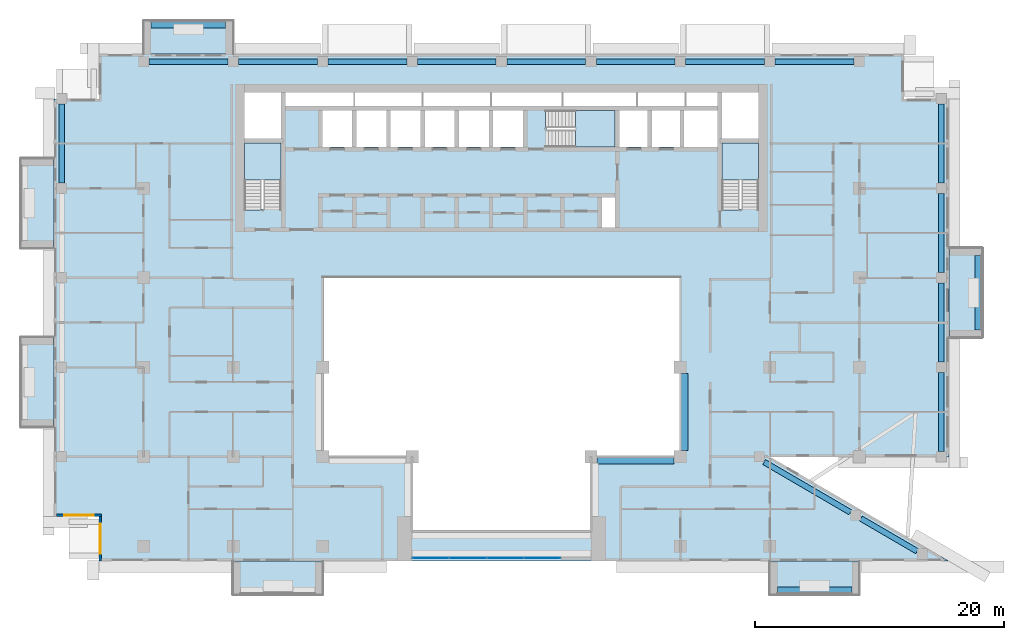
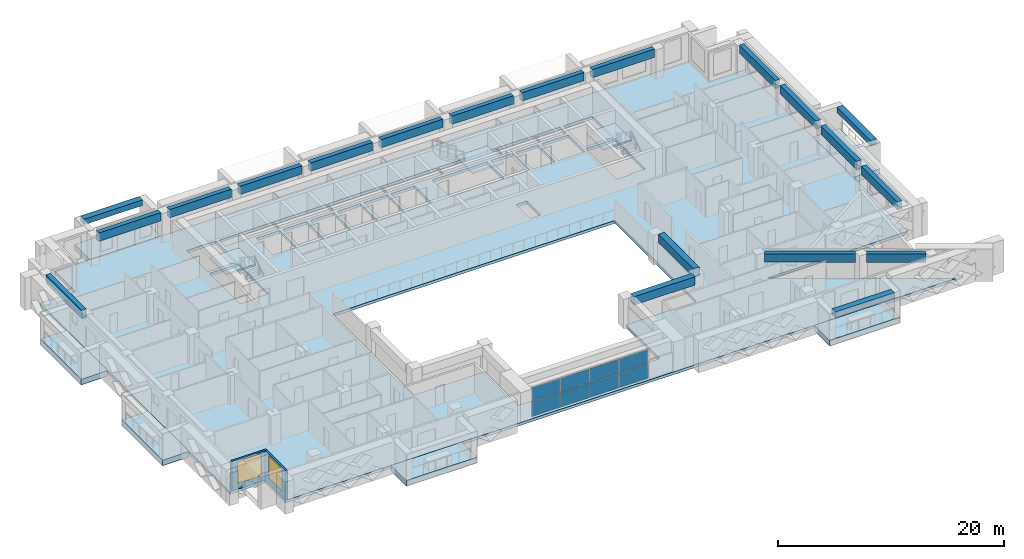
# One storey, part 5 of 20: 20 beams, 10 slabs, 8 plates, 2 walls, 2 windows, 2 openings, 4 elements without a shape of their own.
"""IFC4 building model written with IfcOpenShell, lengths in metres."""

from ifc_helpers import new_model, si_unit, direction, frame, frame_2d, origin, origin_2d, place, context, subcontext, project, spatial, polyline, rectangle, outline, extrude, source, transform, mapped, material, layer, layer_set, material_profile, profile_set, type_object, element, fill, aggregate, save


model = new_model("IFC4")

# Units and contexts
model_context = context("Model", 3, precision=1e-05, world=origin(), true_north=direction((0.0, 1.0)))
body_context = subcontext(model_context, "Body", "Model", "MODEL_VIEW")
ifc_project = project(units=[si_unit("LENGTHUNIT", "METRE"), si_unit("AREAUNIT", "SQUARE_METRE"), si_unit("VOLUMEUNIT", "CUBIC_METRE"), si_unit("PLANEANGLEUNIT", "RADIAN"), si_unit("MASSUNIT", "GRAM", prefix="KILO")], contexts=[model_context])

# Site, building, storey
site_placement = place(None, origin())
site = spatial("IfcSite", under=ifc_project, at=site_placement, CompositionType="ELEMENT")
building_placement = place(site_placement, origin())
building = spatial("IfcBuilding", under=site, at=building_placement, Name="Saffron Iwan Residences", CompositionType="ELEMENT")
storey_placement = place(building_placement, frame((0.0, 0.0, 150.0)))
storey = spatial("IfcBuildingStorey", under=building, at=storey_placement, Name="L39", CompositionType="ELEMENT", Elevation=150.0)

# Beams
ifc_material_1 = material(Name="Concrete C50/60", Category="concrete")
ifc_material_profile_1 = material_profile(ifc_material_1, rectangle(XDim=0.449951171875, YDim=0.89990234375, at=origin_2d()), Name="RC 450x900")
ifc_profile_set_1 = profile_set([ifc_material_profile_1], Name="Concrete C50/60")
beam_type_1 = type_object("IfcBeamType", Name="SPANDREL BEAM RC 450x900 C50/60 TOP 3200", PredefinedType="SPANDREL", material=ifc_profile_set_1)
shared_shape_1 = source(origin(), body_context, "Body", "SweptSolid", [
    extrude(rectangle(XDim=0.449951171875, YDim=0.89990234375, at=origin_2d()), origin(), (0.0, 0.0, 1.0), 5.24267578125),
])
beam_1_placement = place(storey_placement, frame((79.32275390625, 43.03369140625, 2.75), z_axis=(0.863783967805, -0.503862339299, 0.0), x_axis=(0.503862339299, 0.863783967805, 0.0)))
element("IfcBeam", 1, at=beam_1_placement, inside=storey, type_object=beam_type_1, Name="Spandrel beam", PredefinedType="SPANDREL", context=body_context, shape_type="MappedRepresentation", body=[
    mapped(shared_shape_1, transform((0.0, 0.0, 0.0))),
])
shared_shape_2 = source(origin(), body_context, "Body", "SweptSolid", [
    extrude(rectangle(XDim=0.449951171875, YDim=0.89990234375, at=origin_2d()), origin(), (0.0, 0.0, 1.0), 8.028564453125),
])
beam_2_placement = place(storey_placement, frame((71.537841796875, 47.574951171875, 2.75), z_axis=(0.863773386225, -0.503880479132, 0.0), x_axis=(0.503880479132, 0.863773386225, 0.0)))
element("IfcBeam", 2, at=beam_2_placement, inside=storey, type_object=beam_type_1, Name="Spandrel beam", PredefinedType="SPANDREL", context=body_context, shape_type="MappedRepresentation", body=[
    mapped(shared_shape_2, transform((0.0, 0.0, 0.0))),
])
shared_shape_3 = source(origin(), body_context, "Body", "SweptSolid", [
    extrude(rectangle(XDim=0.449951171875, YDim=0.89990234375, at=origin_2d()), origin(), (0.0, 0.0, 1.0), 6.349853515625),
])
for number, where, z_axis, x_axis, name in (
    (3, (85.800048828125, 54.77490234375, 2.75), (0.0, -1.0, 0.0), (1.0, 0.0, 0.0), "Spandrel beam"),
    (4, (29.22509765625, 79.800048828125, 2.75), (1.0, 0.0, 0.0), (0.0, 1.0, 0.0), "Spandrel beam"),
    (5, (36.425048828125, 79.800048828125, 2.75), (1.0, 0.0, 0.0), (0.0, 1.0, 0.0), "Spandrel beam"),
    (6, (65.22509765625, 79.800048828125, 2.75), (1.0, 0.0, 0.0), (0.0, 1.0, 0.0), "Spandrel beam"),
    (7, (72.425048828125, 79.800048828125, 2.75), (1.0, 0.0, 0.0), (0.0, 1.0, 0.0), "Spandrel beam"),
):
    element("IfcBeam", number, at=place(storey_placement, frame(where, z_axis=z_axis, x_axis=x_axis)), inside=storey, type_object=beam_type_1, Name=name, PredefinedType="SPANDREL", context=body_context, shape_type="MappedRepresentation", body=[
        mapped(shared_shape_3, transform((0.0, 0.0, 0.0))),
    ])
shared_shape_4 = source(origin(), body_context, "Body", "SweptSolid", [
    extrude(rectangle(XDim=0.449951171875, YDim=0.89990234375, at=origin_2d()), origin(), (0.0, 0.0, 1.0), 6.35009765625),
])
for number, where, z_axis, x_axis, name in (
    (8, (85.800048828125, 61.97509765625, 2.75), (0.0, -1.0, 0.0), (1.0, 0.0, 0.0), "Spandrel beam"),
    (9, (85.800048828125, 69.175048828125, 2.75), (0.0, -1.0, 0.0), (1.0, 0.0, 0.0), "Spandrel beam"),
    (10, (15.0, 70.02490234375, 2.75), (0.0, 1.0, 0.0), (-1.0, 0.0, 0.0), "Spandrel beam"),
    (11, (85.800048828125, 76.375, 2.75), (0.0, -1.0, 0.0), (1.0, 0.0, 0.0), "Spandrel beam"),
    (12, (22.02490234375, 79.800048828125, 2.75), (1.0, 0.0, 0.0), (0.0, 1.0, 0.0), "Spandrel beam"),
    (13, (43.625, 79.800048828125, 2.75), (1.0, 0.0, 0.0), (0.0, 1.0, 0.0), "Spandrel beam"),
    (14, (50.824951171875, 79.800048828125, 2.75), (1.0, 0.0, 0.0), (0.0, 1.0, 0.0), "Spandrel beam"),
    (15, (58.02490234375, 79.800048828125, 2.75), (1.0, 0.0, 0.0), (0.0, 1.0, 0.0), "Spandrel beam"),
):
    element("IfcBeam", number, at=place(storey_placement, frame(where, z_axis=z_axis, x_axis=x_axis)), inside=storey, type_object=beam_type_1, Name=name, PredefinedType="SPANDREL", context=body_context, shape_type="MappedRepresentation", body=[
        mapped(shared_shape_4, transform((0.0, 0.0, 0.0))),
    ])
ifc_material_profile_2 = material_profile(ifc_material_1, rectangle(XDim=0.60009765625, YDim=0.89990234375, at=origin_2d()), Name="RC 600x900")
ifc_profile_set_2 = profile_set([ifc_material_profile_2], Name="Concrete C50/60")
beam_type_2 = type_object("IfcBeamType", Name="BEAM RC 600x900 C50/60 TOP 3200", PredefinedType="BEAM", material=ifc_profile_set_2)
shared_shape_5 = source(origin(), body_context, "Body", "SweptSolid", [
    extrude(rectangle(XDim=0.60009765625, YDim=0.89990234375, at=origin_2d()), origin(), (0.0, 0.0, 1.0), 6.199951171875),
])
for number, where, z_axis, x_axis, name in (
    (16, (64.300048828125, 47.699951171875, 2.75), (-1.0, 0.0, 0.0), (0.0, -1.0, 0.0), "Atrium edge beam"),
    (17, (65.10009765625, 54.699951171875, 2.75), (0.0, -1.0, 0.0), (1.0, 0.0, 0.0), "Atrium edge beam"),
):
    element("IfcBeam", number, at=place(storey_placement, frame(where, z_axis=z_axis, x_axis=x_axis)), inside=storey, type_object=beam_type_2, Name=name, PredefinedType="BEAM", context=body_context, shape_type="MappedRepresentation", body=[
        mapped(shared_shape_5, transform((0.0, 0.0, 0.0))),
    ])
ifc_material_2 = material(Name="Concrete C50/60 white painted", Category="concrete")
ifc_material_profile_3 = material_profile(ifc_material_2, rectangle(XDim=0.60009765625, YDim=0.60009765625, at=origin_2d()), Name="BALCONY FASCIA BEAM 600 x 600")
ifc_profile_set_3 = profile_set([ifc_material_profile_3], Name="Concrete C50/60 white painted")
beam_type_3 = type_object("IfcBeamType", Name="BALCONY FASCIA BEAM 600 x 600", PredefinedType="BEAM", material=ifc_profile_set_3)
shared_shape_6 = source(origin(), body_context, "Body", "SweptSolid", [
    extrude(rectangle(XDim=0.60009765625, YDim=0.60009765625, at=origin_2d()), origin(), (0.0, 0.0, 1.0), 6.0),
])
for number, where, z_axis, x_axis, name in (
    (18, (88.800048828125, 58.199951171875, 2.550048828125), (0.0, 1.0, 0.0), (-1.0, 0.0, 0.0), "Balcony fascia beam L39 F2-0"),
    (19, (28.199951171875, 82.800048828125, 2.550048828125), (-1.0, 0.0, 0.0), (0.0, -1.0, 0.0), "Balcony fascia beam L39 F5-3"),
    (20, (72.60009765625, 37.199951171875, 2.550048828125), (1.0, 0.0, 0.0), (0.0, 1.0, 0.0), "Balcony fascia beam L39 11-1"),
):
    element("IfcBeam", number, at=place(storey_placement, frame(where, z_axis=z_axis, x_axis=x_axis)), inside=storey, type_object=beam_type_3, Name=name, PredefinedType="BEAM", context=body_context, shape_type="MappedRepresentation", body=[
        mapped(shared_shape_6, transform((0.0, 0.0, 0.0))),
    ])

# Slabs
ifc_layer_1 = layer(ifc_material_2, 0.60009765625)
ifc_layer_set_1 = layer_set([ifc_layer_1], Name="Concrete C50/60 white painted")
slab_type_1 = type_object("IfcSlabType", Name="BALCONY FRAME SLAB 600", PredefinedType="FLOOR", material=ifc_layer_set_1)
slab_1_placement = place(storey_placement, frame((0.0, 0.0, -0.60009765625)))
element("IfcSlab", 21, at=slab_1_placement, inside=storey, type_object=slab_type_1, Name="Balcony frame slab L39 F2-0", PredefinedType="FLOOR", context=body_context, shape_type="SweptSolid", body=[
    extrude(outline(polyline([(89.10009765625, 57.60009765625), (89.10009765625, 64.800048828125), (86.39990234375, 64.800048828125), (86.39990234375, 57.60009765625), (89.10009765625, 57.60009765625)])), origin(), (0.0, 0.0, 1.0), 0.60009765625),
])
slab_2_placement = place(storey_placement, frame((0.0, 0.0, -0.60009765625)))
element("IfcSlab", 22, at=slab_2_placement, inside=storey, type_object=slab_type_1, Name="Balcony frame slab L39 F5-3", PredefinedType="FLOOR", context=body_context, shape_type="SweptSolid", body=[
    extrude(outline(polyline([(28.800048828125, 83.10009765625), (21.60009765625, 83.10009765625), (21.60009765625, 80.39990234375), (28.800048828125, 80.39990234375), (28.800048828125, 83.10009765625)])), origin(), (0.0, 0.0, 1.0), 0.60009765625),
])
slab_3_placement = place(storey_placement, frame((0.0, 0.0, -0.60009765625)))
element("IfcSlab", 23, at=slab_3_placement, inside=storey, type_object=slab_type_1, Name="Balcony frame slab L39 F8-0", PredefinedType="FLOOR", context=body_context, shape_type="SweptSolid", body=[
    extrude(outline(polyline([(11.699951171875, 72.0), (11.699951171875, 64.800048828125), (14.39990234375, 64.800048828125), (14.39990234375, 72.0), (11.699951171875, 72.0)])), origin(), (0.0, 0.0, 1.0), 0.60009765625),
])
slab_4_placement = place(storey_placement, frame((0.0, 0.0, -0.60009765625)))
element("IfcSlab", 24, at=slab_4_placement, inside=storey, type_object=slab_type_1, Name="Balcony frame slab L39 F8-1", PredefinedType="FLOOR", context=body_context, shape_type="SweptSolid", body=[
    extrude(outline(polyline([(11.699951171875, 57.60009765625), (11.699951171875, 50.39990234375), (14.39990234375, 50.39990234375), (14.39990234375, 57.60009765625), (11.699951171875, 57.60009765625)])), origin(), (0.0, 0.0, 1.0), 0.60009765625),
])
slab_5_placement = place(storey_placement, frame((0.0, 0.0, -0.60009765625)))
element("IfcSlab", 25, at=slab_5_placement, inside=storey, type_object=slab_type_1, Name="Balcony frame slab L39 11-0", PredefinedType="FLOOR", context=body_context, shape_type="SweptSolid", body=[
    extrude(outline(polyline([(28.800048828125, 36.89990234375), (36.0, 36.89990234375), (36.0, 39.60009765625), (28.800048828125, 39.60009765625), (28.800048828125, 36.89990234375)])), origin(), (0.0, 0.0, 1.0), 0.60009765625),
])
slab_6_placement = place(storey_placement, frame((0.0, 0.0, -0.60009765625)))
element("IfcSlab", 26, at=slab_6_placement, inside=storey, type_object=slab_type_1, Name="Balcony frame slab L39 11-1", PredefinedType="FLOOR", context=body_context, shape_type="SweptSolid", body=[
    extrude(outline(polyline([(72.0, 36.89990234375), (79.199951171875, 36.89990234375), (79.199951171875, 39.60009765625), (72.0, 39.60009765625), (72.0, 36.89990234375)])), origin(), (0.0, 0.0, 1.0), 0.60009765625),
])
ifc_material_3 = material(Name="Concrete C40/50", Category="concrete")
ifc_layer_2 = layer(ifc_material_3, 0.300048828125)
ifc_layer_set_2 = layer_set([ifc_layer_2], Name="Concrete C40/50")
slab_type_2 = type_object("IfcSlabType", Name="PT PLATE 300 C40/50", PredefinedType="FLOOR", material=ifc_layer_set_2)
slab_7_placement = place(storey_placement, frame((0.0, 0.0, -0.300048828125)))
element("IfcSlab", 27, at=slab_7_placement, inside=storey, type_object=slab_type_2, Name="Floor slab L39", PredefinedType="FLOOR", context=body_context, shape_type="SweptSolid", body=[
    extrude(outline(polyline([(14.39990234375, 43.199951171875), (14.39990234375, 76.800048828125), (18.0, 76.800048828125), (18.0, 80.39990234375), (82.800048828125, 80.39990234375), (82.800048828125, 76.800048828125), (86.39990234375, 76.800048828125), (86.39990234375, 48.0), (72.0, 48.0), (86.39990234375, 39.60009765625), (18.0, 39.60009765625), (18.0, 43.199951171875), (14.39990234375, 43.199951171875)]), holes=[polyline([(64.800048828125, 48.0), (64.800048828125, 62.39990234375), (36.0, 62.39990234375), (36.0, 48.0), (43.199951171875, 48.0), (43.199951171875, 42.0), (57.60009765625, 42.0), (57.60009765625, 48.0), (64.800048828125, 48.0)]), polyline([(29.699951171875, 73.25), (29.699951171875, 67.949951171875), (29.699951171875, 67.8505859375), (31.10009765625, 67.8505859375), (31.10009765625, 67.949951171875), (32.64990234375, 67.949951171875), (32.64990234375, 73.25), (29.699951171875, 73.25)]), polyline([(38.375, 75.875), (35.97509765625, 75.875), (35.97509765625, 72.925048828125), (38.375, 72.925048828125), (38.375, 75.875)]), polyline([(41.125, 75.875), (38.72509765625, 75.875), (38.72509765625, 72.925048828125), (41.125, 72.925048828125), (41.125, 75.875)]), polyline([(43.875, 72.925048828125), (43.875, 75.875), (41.47509765625, 75.875), (41.47509765625, 72.925048828125), (43.875, 72.925048828125)]), polyline([(46.625, 72.925048828125), (46.625, 75.875), (44.22509765625, 75.875), (44.22509765625, 72.925048828125), (46.625, 72.925048828125)]), polyline([(49.375, 75.875), (46.97509765625, 75.875), (46.97509765625, 72.925048828125), (49.375, 72.925048828125), (49.375, 75.875)]), polyline([(52.125, 72.925048828125), (52.125, 75.875), (49.72509765625, 75.875), (49.72509765625, 72.925048828125), (52.125, 72.925048828125)]), polyline([(32.64990234375, 73.60009765625), (32.64990234375, 77.300048828125), (29.699951171875, 77.300048828125), (29.699951171875, 73.60009765625), (32.64990234375, 73.60009765625)]), polyline([(38.5, 77.300048828125), (33.0, 77.300048828125), (33.0, 76.22509765625), (38.5, 76.22509765625), (38.5, 77.300048828125)]), polyline([(44.0, 76.22509765625), (44.0, 77.300048828125), (38.60009765625, 77.300048828125), (38.60009765625, 76.22509765625), (44.0, 76.22509765625)]), polyline([(49.5, 76.22509765625), (49.5, 77.300048828125), (44.10009765625, 77.300048828125), (44.10009765625, 76.22509765625), (49.5, 76.22509765625)]), polyline([(59.550048828125, 68.875), (58.47509765625, 68.875), (58.47509765625, 66.449951171875), (59.550048828125, 66.449951171875), (59.550048828125, 68.875)]), polyline([(68.14990234375, 73.25), (68.14990234375, 67.949951171875), (68.14990234375, 67.8505859375), (69.550048828125, 67.8505859375), (69.550048828125, 67.949951171875), (71.10009765625, 67.949951171875), (71.10009765625, 73.25), (68.14990234375, 73.25)]), polyline([(54.02490234375, 74.47509765625), (54.02490234375, 72.925048828125), (59.550048828125, 72.925048828125), (59.550048828125, 75.875), (54.02490234375, 75.875), (53.925537109375, 75.875), (53.925537109375, 74.47509765625), (54.02490234375, 74.47509765625)]), polyline([(62.14990234375, 72.925048828125), (62.14990234375, 75.875), (59.89990234375, 75.875), (59.89990234375, 72.925048828125), (62.14990234375, 72.925048828125)]), polyline([(64.75, 72.925048828125), (64.75, 75.875), (62.5, 75.875), (62.5, 72.925048828125), (64.75, 72.925048828125)]), polyline([(67.800048828125, 75.875), (65.10009765625, 75.875), (65.10009765625, 72.925048828125), (67.800048828125, 72.925048828125), (67.800048828125, 75.875)]), polyline([(71.10009765625, 73.60009765625), (71.10009765625, 77.300048828125), (68.14990234375, 77.300048828125), (68.14990234375, 73.60009765625), (71.10009765625, 73.60009765625)]), polyline([(55.25, 76.22509765625), (55.25, 77.300048828125), (49.60009765625, 77.300048828125), (49.60009765625, 76.22509765625), (55.25, 76.22509765625)]), polyline([(61.25, 77.300048828125), (55.35009765625, 77.300048828125), (55.35009765625, 76.22509765625), (61.25, 76.22509765625), (61.25, 77.300048828125)]), polyline([(65.14990234375, 76.22509765625), (65.14990234375, 77.300048828125), (61.35009765625, 77.300048828125), (61.35009765625, 76.22509765625), (65.14990234375, 76.22509765625)]), polyline([(67.800048828125, 76.22509765625), (67.800048828125, 77.300048828125), (65.25, 77.300048828125), (65.25, 76.22509765625), (67.800048828125, 76.22509765625)])]), origin(), (0.0, 0.0, 1.0), 0.300048828125),
])

# Stair, slab
stair_type = type_object("IfcStairType", Name="Stair ST-CORE", PredefinedType="HALF_TURN_STAIR", material=ifc_material_1)
stair_1_placement = place(storey_placement, origin())
stair_1 = element("IfcStair", 28, at=stair_1_placement, inside=storey, type_object=stair_type, Name="L39 Exit Stair ST-W", PredefinedType="HALF_TURN_STAIR")
ifc_layer_3 = layer(ifc_material_1, 0.199951171875)
ifc_layer_set_3 = layer_set([ifc_layer_3], Name="Concrete C50/60")
slab_type_3 = type_object("IfcSlabType", Name="Stair landing SL-RC", PredefinedType="LANDING", material=ifc_layer_set_3)
slab_8_placement = place(storey_placement, frame((0.0, 0.0, 1.5498046875)))
slab_8 = element("IfcSlab", 29, at=slab_8_placement, type_object=slab_type_3, Name="ST-W landing 1", PredefinedType="LANDING", context=body_context, shape_type="SweptSolid", body=[
    extrude(outline(polyline([(32.64990234375, 70.280029296875), (32.64990234375, 73.25), (29.699951171875, 73.25), (29.699951171875, 70.280029296875), (32.64990234375, 70.280029296875)])), origin(), (0.0, 0.0, 1.0), 0.2001953125),
])
aggregate(stair_1, [slab_8])

stair_2_placement = place(storey_placement, origin())
stair_2 = element("IfcStair", 30, at=stair_2_placement, inside=storey, type_object=stair_type, Name="L39 Exit Stair ST-C", PredefinedType="HALF_TURN_STAIR")
slab_9_placement = place(storey_placement, frame((0.0, 0.0, 1.5498046875)))
slab_9 = element("IfcSlab", 31, at=slab_9_placement, type_object=slab_type_3, Name="ST-C landing 1", PredefinedType="LANDING", context=body_context, shape_type="SweptSolid", body=[
    extrude(outline(polyline([(56.35498046875, 72.925048828125), (59.550048828125, 72.925048828125), (59.550048828125, 75.875), (56.35498046875, 75.875), (56.35498046875, 72.925048828125)])), origin(), (0.0, 0.0, 1.0), 0.2001953125),
])
aggregate(stair_2, [slab_9])

stair_3_placement = place(storey_placement, origin())
stair_3 = element("IfcStair", 32, at=stair_3_placement, inside=storey, type_object=stair_type, Name="L39 Exit Stair ST-E", PredefinedType="HALF_TURN_STAIR")
slab_10_placement = place(storey_placement, frame((0.0, 0.0, 1.5498046875)))
slab_10 = element("IfcSlab", 33, at=slab_10_placement, type_object=slab_type_3, Name="ST-E landing 1", PredefinedType="LANDING", context=body_context, shape_type="SweptSolid", body=[
    extrude(outline(polyline([(71.10009765625, 70.280029296875), (71.10009765625, 73.25), (68.14990234375, 73.25), (68.14990234375, 70.280029296875), (71.10009765625, 70.280029296875)])), origin(), (0.0, 0.0, 1.0), 0.2001953125),
])
aggregate(stair_3, [slab_10])

# Curtain wall, plates
ifc_material_4 = material(Name="Clear glass, laminated double glazed", Category="glass")
ifc_layer_4 = layer(ifc_material_4, 0.199951171875)
ifc_layer_set_4 = layer_set([ifc_layer_4], Name="Clear glass, laminated double glazed")
curtain_wall_type = type_object("IfcCurtainWallType", Name="CW-B IWAN PORTAL", PredefinedType="NOTDEFINED", material=ifc_layer_set_4)
curtain_wall_placement = place(storey_placement, origin())
curtain_wall = element("IfcCurtainWall", 34, at=curtain_wall_placement, inside=storey, type_object=curtain_wall_type, Name="Iwan portal glazing L39.1", PredefinedType="NOTDEFINED")
ifc_layer_5 = layer(ifc_material_4, 0.028076171875)
ifc_layer_set_5 = layer_set([ifc_layer_5], Name="Clear glass, laminated double glazed")
plate_type = type_object("IfcPlateType", Name="CW-B PANEL 28", PredefinedType="CURTAIN_PANEL", material=ifc_layer_set_5)
shared_shape_7 = source(origin(), body_context, "Body", "SweptSolid", [
    extrude(rectangle(XDim=2.909912109375, YDim=0.028076171875, at=origin_2d()), origin(), (0.0, 0.0, 1.0), 1.510009765625),
])
plate_1_placement = place(storey_placement, frame((44.715087890625, 39.85009765625, 0.06005859375), z_axis=(0.0, 0.0, 1.0), x_axis=(1.0, 0.0, 0.0)))
plate_1 = element("IfcPlate", 35, at=plate_1_placement, type_object=plate_type, Name="CW-B panel 1.1", PredefinedType="CURTAIN_PANEL", context=body_context, shape_type="MappedRepresentation", body=[
    mapped(shared_shape_7, transform((0.0, 0.0, 0.0))),
])
plate_2_placement = place(storey_placement, frame((44.715087890625, 39.85009765625, 1.6298828125), z_axis=(0.0, 0.0, 1.0), x_axis=(1.0, 0.0, 0.0)))
plate_2 = element("IfcPlate", 36, at=plate_2_placement, type_object=plate_type, Name="CW-B panel 1.2", PredefinedType="CURTAIN_PANEL", context=body_context, shape_type="MappedRepresentation", body=[
    mapped(shared_shape_7, transform((0.0, 0.0, 0.0))),
])
plate_3_placement = place(storey_placement, frame((53.68505859375, 39.85009765625, 0.06005859375), z_axis=(0.0, 0.0, 1.0), x_axis=(1.0, 0.0, 0.0)))
plate_3 = element("IfcPlate", 37, at=plate_3_placement, type_object=plate_type, Name="CW-B panel 4.1", PredefinedType="CURTAIN_PANEL", context=body_context, shape_type="MappedRepresentation", body=[
    mapped(shared_shape_7, transform((0.0, 0.0, 0.0))),
])
plate_4_placement = place(storey_placement, frame((53.68505859375, 39.85009765625, 1.6298828125), z_axis=(0.0, 0.0, 1.0), x_axis=(1.0, 0.0, 0.0)))
plate_4 = element("IfcPlate", 38, at=plate_4_placement, type_object=plate_type, Name="CW-B panel 4.2", PredefinedType="CURTAIN_PANEL", context=body_context, shape_type="MappedRepresentation", body=[
    mapped(shared_shape_7, transform((0.0, 0.0, 0.0))),
])
shared_shape_8 = source(origin(), body_context, "Body", "SweptSolid", [
    extrude(rectangle(XDim=2.93994140625, YDim=0.028076171875, at=origin_2d()), origin(), (0.0, 0.0, 1.0), 1.510009765625),
])
plate_5_placement = place(storey_placement, frame((47.699951171875, 39.85009765625, 0.06005859375), z_axis=(0.0, 0.0, 1.0), x_axis=(1.0, 0.0, 0.0)))
plate_5 = element("IfcPlate", 39, at=plate_5_placement, type_object=plate_type, Name="CW-B panel 2.1", PredefinedType="CURTAIN_PANEL", context=body_context, shape_type="MappedRepresentation", body=[
    mapped(shared_shape_8, transform((0.0, 0.0, 0.0))),
])
plate_6_placement = place(storey_placement, frame((47.699951171875, 39.85009765625, 1.6298828125), z_axis=(0.0, 0.0, 1.0), x_axis=(1.0, 0.0, 0.0)))
plate_6 = element("IfcPlate", 40, at=plate_6_placement, type_object=plate_type, Name="CW-B panel 2.2", PredefinedType="CURTAIN_PANEL", context=body_context, shape_type="MappedRepresentation", body=[
    mapped(shared_shape_8, transform((0.0, 0.0, 0.0))),
])
plate_7_placement = place(storey_placement, frame((50.699951171875, 39.85009765625, 0.06005859375), z_axis=(0.0, 0.0, 1.0), x_axis=(1.0, 0.0, 0.0)))
plate_7 = element("IfcPlate", 41, at=plate_7_placement, type_object=plate_type, Name="CW-B panel 3.1", PredefinedType="CURTAIN_PANEL", context=body_context, shape_type="MappedRepresentation", body=[
    mapped(shared_shape_8, transform((0.0, 0.0, 0.0))),
])
plate_8_placement = place(storey_placement, frame((50.699951171875, 39.85009765625, 1.6298828125), z_axis=(0.0, 0.0, 1.0), x_axis=(1.0, 0.0, 0.0)))
plate_8 = element("IfcPlate", 42, at=plate_8_placement, type_object=plate_type, Name="CW-B panel 3.2", PredefinedType="CURTAIN_PANEL", context=body_context, shape_type="MappedRepresentation", body=[
    mapped(shared_shape_8, transform((0.0, 0.0, 0.0))),
])
aggregate(curtain_wall, [plate_1, plate_2, plate_5, plate_6, plate_7, plate_8, plate_3, plate_4])

# Wall, opening, window
ifc_layer_6 = layer(ifc_material_3, 0.199951171875)
ifc_layer_set_6 = layer_set([ifc_layer_6], Name="Concrete C40/50")
wall_type = type_object("IfcWallType", Name="EXTERNAL WALL 200", PredefinedType="SOLIDWALL", material=ifc_layer_set_6)
wall_1_placement = place(storey_placement, frame((14.60009765625, 43.300048828125, 0.0), z_axis=(0.0, 0.0, 1.0), x_axis=(1.0, 0.0, 0.0)))
wall_1 = element("IfcWall", 43, at=wall_1_placement, inside=storey, type_object=wall_type, Name="External wall L39 F9.0", PredefinedType="SOLIDWALL", context=body_context, shape_type="SweptSolid", body=[
    extrude(rectangle(XDim=3.599853515625, YDim=0.199951171875, at=frame_2d((1.7998046875, 0.0))), origin(), (0.0, 0.0, 1.0), 3.199951171875),
])
opening_1_placement = place(wall_1_placement, frame((0.60009765625, 0.0, 0.60009765625)))
opening_1 = element("IfcOpeningElement", 44, at=opening_1_placement, cuts=wall_1, Name="Opening W1", PredefinedType="OPENING", context=body_context, shape_type="SweptSolid", body=[
    extrude(rectangle(XDim=2.39990234375, YDim=2.39990234375, at=frame_2d((1.199951171875, 1.199951171875))), frame((0.0, 0.10986328125, 0.0), z_axis=(0.0, -1.0, 0.0), x_axis=(1.0, 0.0, 0.0)), (0.0, 0.0, 1.0), 0.219970703125),
])
window_type = type_object("IfcWindowType", Name="WINDOW 2400 x 2400", PartitioningType="DOUBLE_PANEL_VERTICAL", PredefinedType="WINDOW", material=ifc_material_4)
window_1_placement = place(opening_1_placement, origin())
window_1 = element("IfcWindow", 45, at=window_1_placement, inside=storey, type_object=window_type, Name="Window L39 F9.0", OverallHeight=2.39990234375, OverallWidth=2.39990234375, PartitioningType="DOUBLE_PANEL_VERTICAL", PredefinedType="WINDOW", context=body_context, shape_type="SweptSolid", body=[
    extrude(rectangle(XDim=2.39990234375, YDim=2.39990234375, at=frame_2d((1.199951171875, 1.199951171875))), frame((0.0, 0.030029296875, 0.0), z_axis=(0.0, -1.0, 0.0), x_axis=(1.0, 0.0, 0.0)), (0.0, 0.0, 1.0), 0.06005859375),
])
fill(opening_1, window_1)

wall_2_placement = place(storey_placement, frame((18.10009765625, 43.199951171875, 0.0), z_axis=(0.0, 0.0, 1.0), x_axis=(0.0, -1.0, 0.0)))
wall_2 = element("IfcWall", 46, at=wall_2_placement, inside=storey, type_object=wall_type, Name="External wall L39 F10.0", PredefinedType="SOLIDWALL", context=body_context, shape_type="SweptSolid", body=[
    extrude(rectangle(XDim=3.599853515625, YDim=0.199951171875, at=frame_2d((1.7998046875, 0.0))), origin(), (0.0, 0.0, 1.0), 3.199951171875),
])
opening_2_placement = place(wall_2_placement, frame((0.60009765625, 0.0, 0.60009765625)))
opening_2 = element("IfcOpeningElement", 47, at=opening_2_placement, cuts=wall_2, Name="Opening W1", PredefinedType="OPENING", context=body_context, shape_type="SweptSolid", body=[
    extrude(rectangle(XDim=2.39990234375, YDim=2.39990234375, at=frame_2d((1.199951171875, 1.199951171875))), frame((0.0, 0.10986328125, 0.0), z_axis=(0.0, -1.0, 0.0), x_axis=(1.0, 0.0, 0.0)), (0.0, 0.0, 1.0), 0.219970703125),
])
window_2_placement = place(opening_2_placement, origin())
window_2 = element("IfcWindow", 48, at=window_2_placement, inside=storey, type_object=window_type, Name="Window L39 F10.0", OverallHeight=2.39990234375, OverallWidth=2.39990234375, PartitioningType="DOUBLE_PANEL_VERTICAL", PredefinedType="WINDOW", context=body_context, shape_type="SweptSolid", body=[
    extrude(rectangle(XDim=2.39990234375, YDim=2.39990234375, at=frame_2d((1.199951171875, 1.199951171875))), frame((0.0, 0.030029296875, 0.0), z_axis=(0.0, -1.0, 0.0), x_axis=(1.0, 0.0, 0.0)), (0.0, 0.0, 1.0), 0.06005859375),
])
fill(opening_2, window_2)

save(model, "model.ifc")
